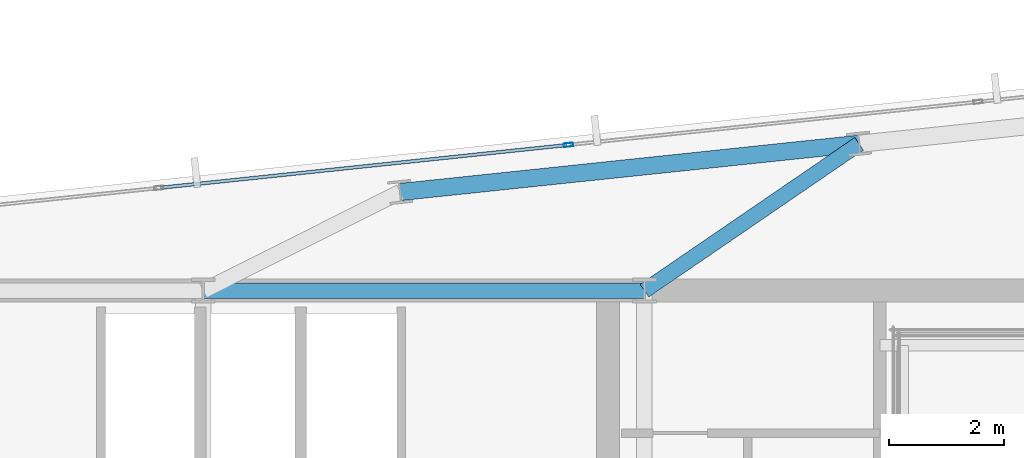
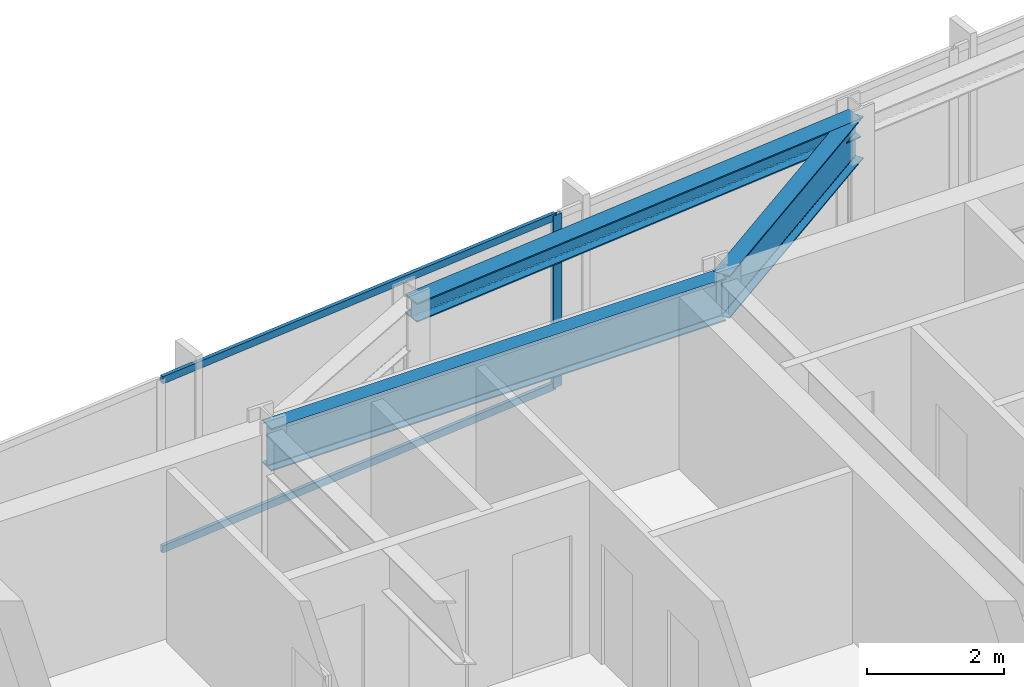
# One storey, part 22 of 32: 3 beams, 3 members, 1 element without a shape of its own.
"""IFC4 building model written with IfcOpenShell, lengths in metres."""

from ifc_helpers import new_model, si_unit, direction, frame, origin, origin_2d, place, context, subcontext, project, spatial, hollow_rectangle, i_section, extrude, material, material_profile, profile_set, type_object, element, aggregate, save


model = new_model("IFC4")

# Units and contexts
model_context = context("Model", 3, precision=1e-05, world=origin(), true_north=direction((0.0, 1.0)))
body_context = subcontext(model_context, "Body", "Model", "MODEL_VIEW")
ifc_project = project(units=[si_unit("LENGTHUNIT", "METRE"), si_unit("AREAUNIT", "SQUARE_METRE"), si_unit("VOLUMEUNIT", "CUBIC_METRE"), si_unit("PLANEANGLEUNIT", "RADIAN"), si_unit("MASSUNIT", "GRAM", prefix="KILO")], contexts=[model_context])

# Site, building, storey
site_placement = place(None, origin())
site = spatial("IfcSite", under=ifc_project, at=site_placement, CompositionType="ELEMENT")
building_placement = place(site_placement, origin())
building = spatial("IfcBuilding", under=site, at=building_placement, Name="Yelkora Congress Tower", CompositionType="ELEMENT")
storey_placement = place(building_placement, frame((0.0, 0.0, 217.699951171875)))
storey = spatial("IfcBuildingStorey", under=building, at=storey_placement, Name="L60", CompositionType="ELEMENT", Elevation=217.699951171875)

# Beams
ifc_material_1 = material(Name="Steel S355J2", Category="steel")
ifc_material_profile_1 = material_profile(ifc_material_1, i_section(OverallWidth=0.26708984375, OverallDepth=0.761962890625, WebThickness=0.014404296875, FlangeThickness=0.021484375, FilletRadius=0.01708984375, at=origin_2d()), Name="IPE 750x173")
ifc_profile_set_1 = profile_set([ifc_material_profile_1], Name="Steel S355J2")
beam_type_1 = type_object("IfcBeamType", Name="BM-GIRD-IPE750", PredefinedType="BEAM", material=ifc_profile_set_1)
beam_1_placement = place(storey_placement, frame((38.39990234375, 46.199951171875, 2.698974609375), z_axis=(1.0, 0.0, 0.0), x_axis=(0.0, 1.0, 0.0)))
element("IfcBeam", 1, at=beam_1_placement, inside=storey, type_object=beam_type_1, Name="L60 Core North Girder 4", PredefinedType="BEAM", context=body_context, shape_type="SweptSolid", body=[
    extrude(i_section(OverallWidth=0.26708984375, OverallDepth=0.761962890625, WebThickness=0.014404296875, FlangeThickness=0.021484375, FilletRadius=0.01708984375, at=origin_2d()), origin(), (0.0, 0.0, 1.0), 7.68017578125),
])
beam_2_placement = place(storey_placement, frame((49.8173828125, 48.757080078125, 2.698974609375), z_axis=(-0.825304616438, -0.564687781067, 0.0), x_axis=(0.564687781067, -0.825304616438, 0.0)))
element("IfcBeam", 2, at=beam_2_placement, inside=storey, type_object=beam_type_1, Name="L60 Primary Frame Girder N05", PredefinedType="BEAM", context=body_context, shape_type="SweptSolid", body=[
    extrude(i_section(OverallWidth=0.26708984375, OverallDepth=0.761962890625, WebThickness=0.014404296875, FlangeThickness=0.021484375, FilletRadius=0.01708984375, at=origin_2d()), origin(), (0.0, 0.0, 1.0), 4.5283203125),
])
ifc_material_profile_2 = material_profile(ifc_material_1, i_section(OverallWidth=0.300048828125, OverallDepth=0.340087890625, WebThickness=0.011962890625, FlangeThickness=0.021484375, FilletRadius=0.027099609375, at=origin_2d()), Name="HEB 340")
ifc_profile_set_2 = profile_set([ifc_material_profile_2], Name="Steel S355J2")
beam_type_2 = type_object("IfcBeamType", Name="BM-SPAN-HEB340", PredefinedType="SPANDREL", material=ifc_profile_set_2)
beam_3_placement = place(storey_placement, frame((49.8173828125, 48.757080078125, 2.91015625), z_axis=(-0.994523256947, -0.104515507904, 0.0), x_axis=(0.104515507904, -0.994523256947, 0.0)))
element("IfcBeam", 3, at=beam_3_placement, inside=storey, type_object=beam_type_2, Name="L60 Perimeter Beam 15", PredefinedType="SPANDREL", context=body_context, shape_type="SweptSolid", body=[
    extrude(i_section(OverallWidth=0.300048828125, OverallDepth=0.340087890625, WebThickness=0.011962890625, FlangeThickness=0.021484375, FilletRadius=0.027099609375, at=origin_2d()), origin(), (0.0, 0.0, 1.0), 8.033203125),
])

# Curtain wall, members
ifc_material_2 = material(Name="Anodised aluminium and insulated glass", Category="aluminium")
curtain_wall_type = type_object("IfcCurtainWallType", Name="CW-SYS-B4", PredefinedType="NOTDEFINED", material=ifc_material_2)
curtain_wall_placement = place(storey_placement, origin())
curtain_wall = element("IfcCurtainWall", 4, at=curtain_wall_placement, inside=storey, type_object=curtain_wall_type, Name="L60 Unitised Curtain Wall 10 (3)", PredefinedType="NOTDEFINED")
ifc_material_3 = material(Name="Anodised aluminium 6063-T6", Category="aluminium")
ifc_material_profile_3 = material_profile(ifc_material_3, hollow_rectangle(XDim=0.06494140625, YDim=0.159912109375, WallThickness=0.00390625, at=origin_2d()), Name="ALU 65x160x4")
ifc_profile_set_3 = profile_set([ifc_material_profile_3], Name="Anodised aluminium 6063-T6")
member_type_1 = type_object("IfcMemberType", Name="MEM-ML-B4", PredefinedType="MULLION", material=ifc_profile_set_3)
member_1_placement = place(storey_placement, frame((44.75830078125, 48.73828125, 0.0), z_axis=(0.0, 0.0, 1.0), x_axis=(-0.104527724021, 0.994521973066, 0.0)))
member_1 = element("IfcMember", 5, at=member_1_placement, type_object=member_type_1, Name="CW-B4 mullion 4", PredefinedType="MULLION", context=body_context, shape_type="SweptSolid", body=[
    extrude(hollow_rectangle(XDim=0.06494140625, YDim=0.159912109375, WallThickness=0.00390625, at=origin_2d()), origin(), (0.0, 0.0, 1.0), 3.080078125),
])
ifc_material_profile_4 = material_profile(ifc_material_3, hollow_rectangle(XDim=0.06005859375, YDim=0.1298828125, WallThickness=0.00390625, at=origin_2d()), Name="ALU 60x130x4")
ifc_profile_set_4 = profile_set([ifc_material_profile_4], Name="Anodised aluminium 6063-T6")
member_type_2 = type_object("IfcMemberType", Name="MEM-TR-B4", PredefinedType="USERDEFINED", material=ifc_profile_set_4)
member_2_placement = place(storey_placement, frame((37.659912109375, 47.9921875, 0.030029296875), z_axis=(0.994521633799, 0.104530951904, 0.0), x_axis=(-0.104530951904, 0.994521633799, 0.0)))
member_2 = element("IfcMember", 6, at=member_2_placement, type_object=member_type_2, Name="CW-B4 transom 3.1", ObjectType="TRANSOM", PredefinedType="USERDEFINED", context=body_context, shape_type="SweptSolid", body=[
    extrude(hollow_rectangle(XDim=0.06005859375, YDim=0.1298828125, WallThickness=0.00390625, at=origin_2d()), origin(), (0.0, 0.0, 1.0), 7.104736328125),
])
member_3_placement = place(storey_placement, frame((37.659912109375, 47.9921875, 3.050048828125), z_axis=(0.994521633799, 0.104530951904, 0.0), x_axis=(-0.104530951904, 0.994521633799, 0.0)))
member_3 = element("IfcMember", 7, at=member_3_placement, type_object=member_type_2, Name="CW-B4 transom 3.2", ObjectType="TRANSOM", PredefinedType="USERDEFINED", context=body_context, shape_type="SweptSolid", body=[
    extrude(hollow_rectangle(XDim=0.06005859375, YDim=0.1298828125, WallThickness=0.00390625, at=origin_2d()), origin(), (0.0, 0.0, 1.0), 7.104736328125),
])
aggregate(curtain_wall, [member_1, member_2, member_3])

save(model, "model.ifc")
